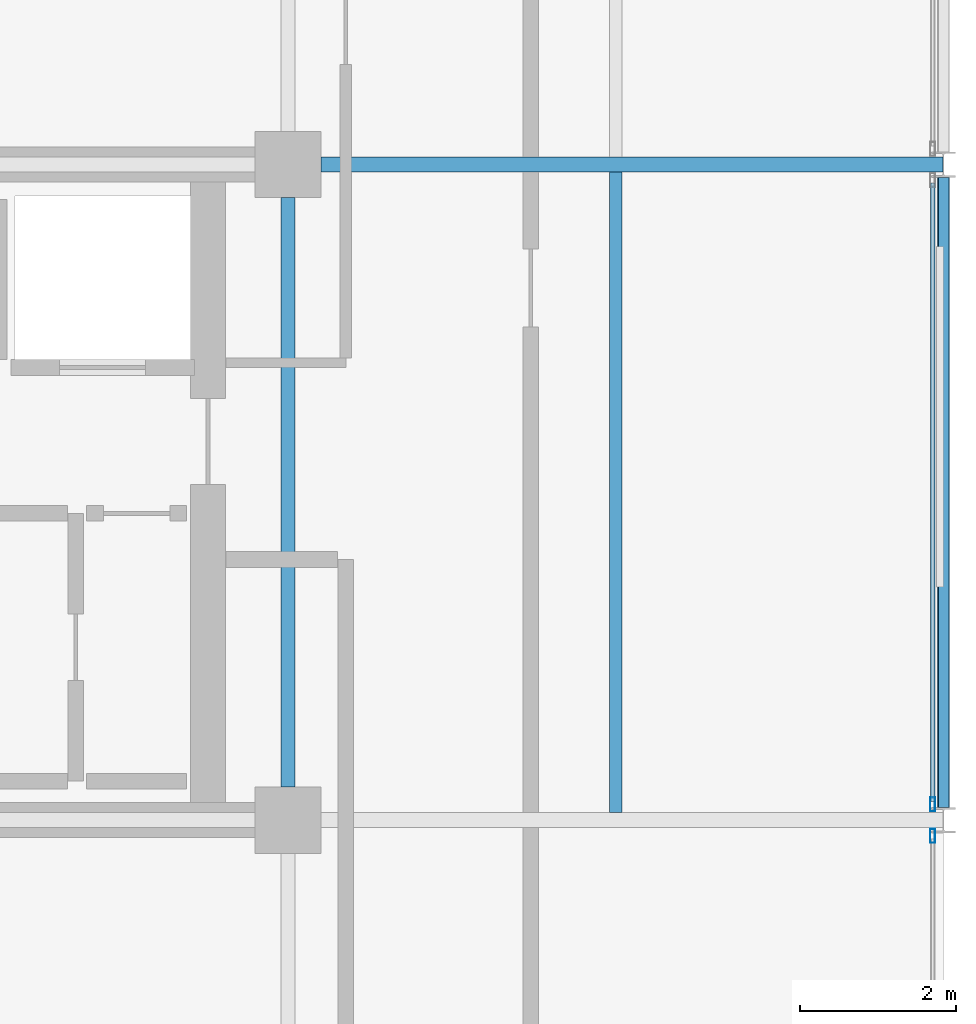
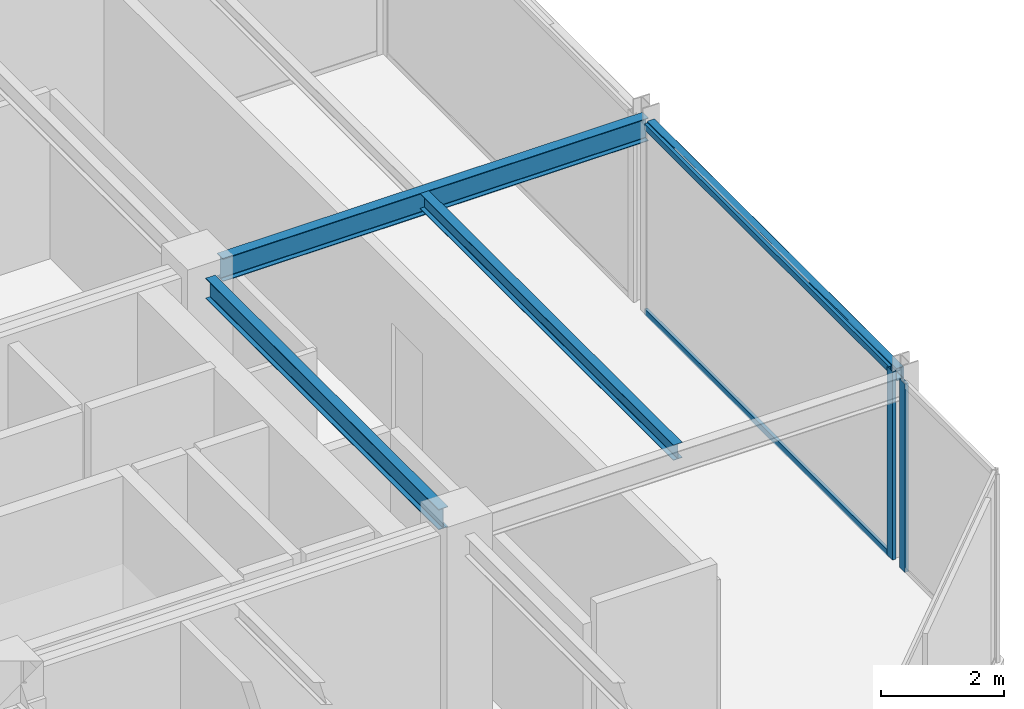
# One storey, part 15 of 26: 4 beams, 4 members, 2 elements without a shape of their own.
"""IFC4 building model written with IfcOpenShell, lengths in metres."""

from ifc_helpers import new_model, si_unit, direction, frame, origin, origin_2d, place, context, subcontext, project, spatial, hollow_rectangle, i_section, extrude, material, layer, layer_set, material_profile, profile_set, type_object, element, aggregate, save


model = new_model("IFC4")

# Units and contexts
model_context = context("Model", 3, precision=1e-05, world=origin(), true_north=direction((0.0, 1.0)))
body_context = subcontext(model_context, "Body", "Model", "MODEL_VIEW")
ifc_project = project(units=[si_unit("LENGTHUNIT", "METRE"), si_unit("AREAUNIT", "SQUARE_METRE"), si_unit("VOLUMEUNIT", "CUBIC_METRE"), si_unit("PLANEANGLEUNIT", "RADIAN"), si_unit("MASSUNIT", "GRAM", prefix="KILO")], contexts=[model_context])

# Site, building, storey
site_placement = place(None, origin())
site = spatial("IfcSite", under=ifc_project, at=site_placement, CompositionType="ELEMENT")
building_placement = place(site_placement, origin())
building = spatial("IfcBuilding", under=site, at=building_placement, Name="Nerrivon Quay Data Exchange", CompositionType="ELEMENT")
storey_placement = place(building_placement, frame((0.0, 0.0, 262.199951171875)))
storey = spatial("IfcBuildingStorey", under=building, at=storey_placement, Name="L62", CompositionType="ELEMENT", Elevation=262.199951171875)

# Beams
ifc_material_1 = material(Name="Steel Grade 350", Category="steel")
ifc_material_profile_1 = material_profile(ifc_material_1, i_section(OverallWidth=0.18994140625, OverallDepth=0.4541015625, WebThickness=0.008544921875, FlangeThickness=0.0126953125, FilletRadius=0.011474609375, at=origin_2d()), Name="460UB67.1")
ifc_profile_set_1 = profile_set([ifc_material_profile_1], Name="Steel Grade 350")
beam_type_1 = type_object("IfcBeamType", Name="BM-G6-460UB67", PredefinedType="BEAM", material=ifc_profile_set_1)
beam_1_placement = place(storey_placement, frame((34.02490234375, 16.800048828125, 3.498046875), z_axis=(1.0, 0.0, 0.0), x_axis=(0.0, 1.0, 0.0)))
element("IfcBeam", 1, at=beam_1_placement, inside=storey, type_object=beam_type_1, Name="L62 EW Girder Y=16.8 (33.6..42.0)", PredefinedType="BEAM", context=body_context, shape_type="SweptSolid", body=[
    extrude(i_section(OverallWidth=0.18994140625, OverallDepth=0.4541015625, WebThickness=0.008544921875, FlangeThickness=0.0126953125, FilletRadius=0.011474609375, at=origin_2d()), origin(), (0.0, 0.0, 1.0), 7.96728515625),
])
ifc_material_profile_2 = material_profile(ifc_material_1, i_section(OverallWidth=0.177978515625, OverallDepth=0.406005859375, WebThickness=0.0078125, FlangeThickness=0.0126953125, FilletRadius=0.011474609375, at=origin_2d()), Name="410UB59.7")
ifc_profile_set_2 = profile_set([ifc_material_profile_2], Name="Steel Grade 350")
beam_type_2 = type_object("IfcBeamType", Name="BM-J1-410UB60", PredefinedType="JOIST", material=ifc_profile_set_2)
beam_2_placement = place(storey_placement, frame((33.60009765625, 8.824951171875, 3.52197265625), z_axis=(0.0, 1.0, 0.0), x_axis=(-1.0, 0.0, 0.0)))
element("IfcBeam", 2, at=beam_2_placement, inside=storey, type_object=beam_type_2, Name="L62 NS Girder X=33.6 (8.4..16.8)", PredefinedType="JOIST", context=body_context, shape_type="SweptSolid", body=[
    extrude(i_section(OverallWidth=0.177978515625, OverallDepth=0.406005859375, WebThickness=0.0078125, FlangeThickness=0.0126953125, FilletRadius=0.011474609375, at=origin_2d()), origin(), (0.0, 0.0, 1.0), 7.550048828125),
])
ifc_material_profile_3 = material_profile(ifc_material_1, i_section(OverallWidth=0.1650390625, OverallDepth=0.303955078125, WebThickness=0.006103515625, FlangeThickness=0.01025390625, FilletRadius=0.011474609375, at=origin_2d()), Name="310UB40.4")
ifc_profile_set_3 = profile_set([ifc_material_profile_3], Name="Steel Grade 350")
beam_type_3 = type_object("IfcBeamType", Name="BM-J6-310UB40", PredefinedType="JOIST", material=ifc_profile_set_3)
beam_3_placement = place(storey_placement, frame((37.800048828125, 8.4951171875, 3.572998046875), z_axis=(0.0, 1.0, 0.0), x_axis=(-1.0, 0.0, 0.0)))
element("IfcBeam", 3, at=beam_3_placement, inside=storey, type_object=beam_type_3, Name="L62 Secondary Joist X=37.8 (8.4..16.8)", PredefinedType="JOIST", context=body_context, shape_type="SweptSolid", body=[
    extrude(i_section(OverallWidth=0.1650390625, OverallDepth=0.303955078125, WebThickness=0.006103515625, FlangeThickness=0.01025390625, FilletRadius=0.011474609375, at=origin_2d()), origin(), (0.0, 0.0, 1.0), 8.2099609375),
])
ifc_material_2 = material(Name="Steel Grade C350L0 (350 MPa)", Category="steel")
ifc_material_profile_4 = material_profile(ifc_material_2, hollow_rectangle(XDim=0.14990234375, YDim=0.25, WallThickness=0.009033203125, InnerFilletRadius=0.013427734375, OuterFilletRadius=0.0224609375, at=origin_2d()), Name="250x150x9.0RHS")
ifc_profile_set_4 = profile_set([ifc_material_profile_4], Name="Steel Grade C350L0 (350 MPa)")
beam_type_4 = type_object("IfcBeamType", Name="BM-SP4-250x150RHS", PredefinedType="SPANDREL", material=ifc_profile_set_4)
beam_4_placement = place(storey_placement, frame((42.0, 8.5634765625, 3.60009765625), z_axis=(0.0, 1.0, 0.0), x_axis=(-1.0, 0.0, 0.0)))
element("IfcBeam", 4, at=beam_4_placement, inside=storey, type_object=beam_type_4, Name="L62 NS Girder X=42.0 (8.4..16.8)", PredefinedType="SPANDREL", context=body_context, shape_type="SweptSolid", body=[
    extrude(hollow_rectangle(XDim=0.14990234375, YDim=0.25, WallThickness=0.009033203125, InnerFilletRadius=0.013427734375, OuterFilletRadius=0.0224609375, at=origin_2d()), origin(), (0.0, 0.0, 1.0), 8.072998046875),
])

# Curtain wall, member
ifc_material_3 = material(Name="Anodised aluminium 6063-T6", Category="aluminium")
ifc_layer = layer(ifc_material_3, 0.195068359375)
ifc_layer_set = layer_set([ifc_layer], Name="Anodised aluminium 6063-T6")
curtain_wall_type = type_object("IfcCurtainWallType", Name="CW-SYS-06", PredefinedType="NOTDEFINED", material=ifc_layer_set)
curtain_wall_1_placement = place(storey_placement, origin())
curtain_wall_1 = element("IfcCurtainWall", 5, at=curtain_wall_1_placement, inside=storey, type_object=curtain_wall_type, Name="L62 Unitised Curtain Wall 27", PredefinedType="NOTDEFINED")
ifc_material_profile_5 = material_profile(ifc_material_3, hollow_rectangle(XDim=0.06494140625, YDim=0.179931640625, WallThickness=0.00341796875, at=origin_2d()), Name="ALU-MULL-180x65")
ifc_profile_set_5 = profile_set([ifc_material_profile_5], Name="Anodised aluminium 6063-T6")
member_type_1 = type_object("IfcMemberType", Name="CWM-180x65", PredefinedType="MULLION", material=ifc_profile_set_5)
member_1_placement = place(storey_placement, frame((41.860107421875, 8.60107421875, 0.0), z_axis=(0.0, 0.0, 1.0), x_axis=(1.0, 0.0, 0.0)))
member_1 = element("IfcMember", 6, at=member_1_placement, type_object=member_type_1, Name="CW06 mullion 2", PredefinedType="MULLION", context=body_context, shape_type="SweptSolid", body=[
    extrude(hollow_rectangle(XDim=0.06494140625, YDim=0.179931640625, WallThickness=0.00341796875, at=origin_2d()), origin(), (0.0, 0.0, 1.0), 3.72509765625),
])

curtain_wall_2_placement = place(storey_placement, origin())
curtain_wall_2 = element("IfcCurtainWall", 7, at=curtain_wall_2_placement, inside=storey, type_object=curtain_wall_type, Name="L62 Unitised Curtain Wall 28", PredefinedType="NOTDEFINED")
member_2_placement = place(storey_placement, frame((41.860107421875, 8.198974609375, 0.0), z_axis=(0.0, 0.0, 1.0), x_axis=(1.0, 0.0, 0.0)))
member_2 = element("IfcMember", 8, at=member_2_placement, type_object=member_type_1, Name="CW06 mullion 1", PredefinedType="MULLION", context=body_context, shape_type="SweptSolid", body=[
    extrude(hollow_rectangle(XDim=0.06494140625, YDim=0.179931640625, WallThickness=0.00341796875, at=origin_2d()), origin(), (0.0, 0.0, 1.0), 3.72509765625),
])
aggregate(curtain_wall_2, [member_2])

# Member
ifc_material_profile_6 = material_profile(ifc_material_3, hollow_rectangle(XDim=0.06005859375, YDim=0.1201171875, WallThickness=0.003173828125, at=origin_2d()), Name="ALU-TRAN-120x60")
ifc_profile_set_6 = profile_set([ifc_material_profile_6], Name="Anodised aluminium 6063-T6")
member_type_2 = type_object("IfcMemberType", Name="CWT-120x60", PredefinedType="USERDEFINED", material=ifc_profile_set_6)
member_3_placement = place(storey_placement, frame((41.860107421875, 16.5615234375, 0.032470703125), z_axis=(0.0, -1.0, 0.0), x_axis=(1.0, 0.0, 0.0)))
member_3 = element("IfcMember", 9, at=member_3_placement, type_object=member_type_2, Name="CW06 transom 1.1", ObjectType="TRANSOM", PredefinedType="USERDEFINED", context=body_context, shape_type="SweptSolid", body=[
    extrude(hollow_rectangle(XDim=0.06005859375, YDim=0.1201171875, WallThickness=0.003173828125, at=origin_2d()), origin(), (0.0, 0.0, 1.0), 7.923095703125),
])

member_4_placement = place(storey_placement, frame((41.860107421875, 16.5615234375, 3.692626953125), z_axis=(0.0, -1.0, 0.0), x_axis=(1.0, 0.0, 0.0)))
member_4 = element("IfcMember", 10, at=member_4_placement, type_object=member_type_2, Name="CW06 transom 1.2", ObjectType="TRANSOM", PredefinedType="USERDEFINED", context=body_context, shape_type="SweptSolid", body=[
    extrude(hollow_rectangle(XDim=0.06005859375, YDim=0.1201171875, WallThickness=0.003173828125, at=origin_2d()), origin(), (0.0, 0.0, 1.0), 7.923095703125),
])

aggregate(curtain_wall_1, [member_1, member_3, member_4])

save(model, "model.ifc")
